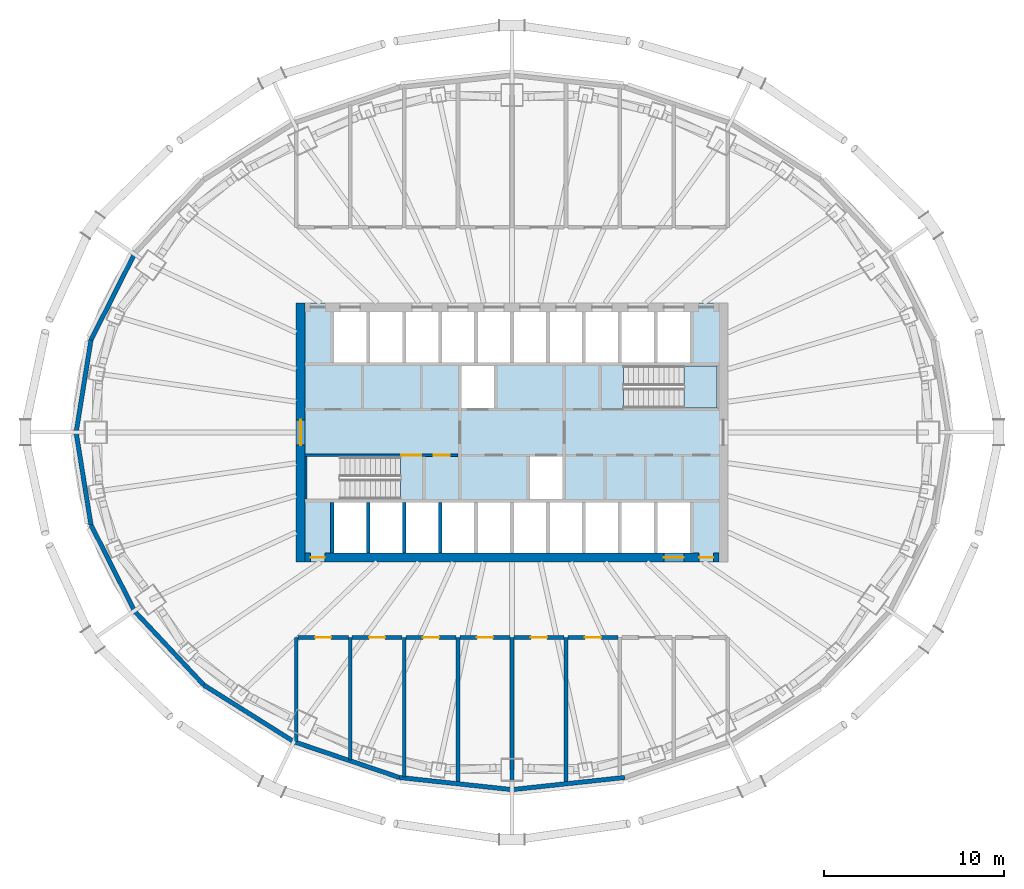
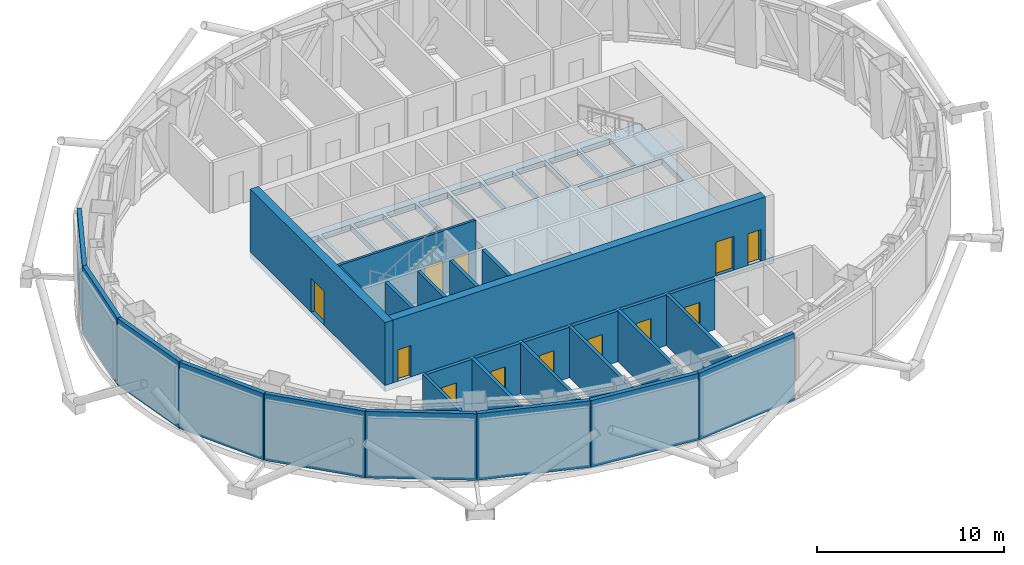
# One storey, part 5 of 16: 29 walls, 12 doors, 2 slabs, 12 openings, 1 element without a shape of its own.
"""IFC4 building model written with IfcOpenShell, lengths in metres."""

from ifc_helpers import new_model, si_unit, direction, frame, frame_2d, origin, place, context, subcontext, project, spatial, polyline, rectangle, outline, extrude, material, layer, layer_set, type_object, element, fill, aggregate, save


model = new_model("IFC4")

# Units and contexts
model_context = context("Model", 3, precision=1e-05, world=origin(), true_north=direction((0.0, 1.0)))
body_context = subcontext(model_context, "Body", "Model", "MODEL_VIEW")
ifc_project = project(units=[si_unit("LENGTHUNIT", "METRE"), si_unit("AREAUNIT", "SQUARE_METRE"), si_unit("VOLUMEUNIT", "CUBIC_METRE"), si_unit("PLANEANGLEUNIT", "RADIAN"), si_unit("MASSUNIT", "GRAM", prefix="KILO")], contexts=[model_context])

# Site, building, storey
site_placement = place(None, origin())
site = spatial("IfcSite", under=ifc_project, at=site_placement, CompositionType="ELEMENT")
building_placement = place(site_placement, origin())
building = spatial("IfcBuilding", under=site, at=building_placement, Name="Siaravel Broadcast Tower", CompositionType="ELEMENT")
storey_placement = place(building_placement, frame((0.0, 0.0, 152.60009765625)))
storey = spatial("IfcBuildingStorey", under=building, at=storey_placement, Name="L36", CompositionType="ELEMENT", Elevation=152.60009765625)

# Slab
ifc_material_1 = material(Name="Concrete C40/50", Category="concrete")
ifc_layer_1 = layer(ifc_material_1, 0.39990234375)
ifc_layer_set_1 = layer_set([ifc_layer_1], Name="Concrete C40/50")
slab_type_1 = type_object("IfcSlabType", Name="Core floor slab 400", PredefinedType="FLOOR", material=ifc_layer_set_1)
slab_1_placement = place(storey_placement, frame((0.0, 0.0, -0.400146484375)))
element("IfcSlab", 1, at=slab_1_placement, inside=storey, type_object=slab_type_1, Name="L36 core floor", PredefinedType="FLOOR", context=body_context, shape_type="SweptSolid", body=[
    extrude(outline(polyline([(-12.0, -7.199951171875), (-12.0, 7.199951171875), (12.0, 7.199951171875), (12.0, -7.199951171875), (-12.0, -7.199951171875)]), holes=[polyline([(11.3994140625, 1.3505859375), (11.3994140625, 3.699462890625), (6.200439453125, 3.699462890625), (6.200439453125, 1.3505859375), (11.3994140625, 1.3505859375)]), polyline([(9.89990234375, 3.89990234375), (9.89990234375, 6.699951171875), (8.10009765625, 6.699951171875), (8.10009765625, 3.89990234375), (9.89990234375, 3.89990234375)]), polyline([(9.89990234375, -6.699951171875), (9.89990234375, -3.89990234375), (8.10009765625, -3.89990234375), (8.10009765625, -6.699951171875), (9.89990234375, -6.699951171875)]), polyline([(7.89990234375, -3.89990234375), (6.10009765625, -3.89990234375), (6.10009765625, -6.699951171875), (7.89990234375, -6.699951171875), (7.89990234375, -3.89990234375)]), polyline([(7.89990234375, 3.89990234375), (7.89990234375, 6.699951171875), (6.10009765625, 6.699951171875), (6.10009765625, 3.89990234375), (7.89990234375, 3.89990234375)]), polyline([(5.89990234375, 6.699951171875), (4.10009765625, 6.699951171875), (4.10009765625, 3.89990234375), (5.89990234375, 3.89990234375), (5.89990234375, 6.699951171875)]), polyline([(5.89990234375, -6.699951171875), (5.89990234375, -3.89990234375), (4.10009765625, -3.89990234375), (4.10009765625, -6.699951171875), (5.89990234375, -6.699951171875)]), polyline([(3.89990234375, 3.89990234375), (3.89990234375, 6.699951171875), (2.10009765625, 6.699951171875), (2.10009765625, 3.89990234375), (3.89990234375, 3.89990234375)]), polyline([(3.89990234375, -6.699951171875), (3.89990234375, -3.89990234375), (2.10009765625, -3.89990234375), (2.10009765625, -6.699951171875), (3.89990234375, -6.699951171875)]), polyline([(2.800048828125, -3.699951171875), (2.800048828125, -1.35009765625), (1.0, -1.35009765625), (1.0, -3.699951171875), (2.800048828125, -3.699951171875)]), polyline([(1.89990234375, 3.89990234375), (1.89990234375, 6.699951171875), (0.10009765625, 6.699951171875), (0.10009765625, 3.89990234375), (1.89990234375, 3.89990234375)]), polyline([(1.89990234375, -3.89990234375), (0.10009765625, -3.89990234375), (0.10009765625, -6.699951171875), (1.89990234375, -6.699951171875), (1.89990234375, -3.89990234375)]), polyline([(-0.10009765625, 3.89990234375), (-0.10009765625, 6.699951171875), (-1.89990234375, 6.699951171875), (-1.89990234375, 3.89990234375), (-0.10009765625, 3.89990234375)]), polyline([(-0.10009765625, -6.699951171875), (-0.10009765625, -3.89990234375), (-1.89990234375, -3.89990234375), (-1.89990234375, -6.699951171875), (-0.10009765625, -6.699951171875)]), polyline([(-1.0, 3.699951171875), (-2.800048828125, 3.699951171875), (-2.800048828125, 1.35009765625), (-1.0, 1.35009765625), (-1.0, 3.699951171875)]), polyline([(-2.10009765625, -3.89990234375), (-3.89990234375, -3.89990234375), (-3.89990234375, -6.699951171875), (-2.10009765625, -6.699951171875), (-2.10009765625, -3.89990234375)]), polyline([(-2.10009765625, 3.89990234375), (-2.10009765625, 6.699951171875), (-3.89990234375, 6.699951171875), (-3.89990234375, 3.89990234375), (-2.10009765625, 3.89990234375)]), polyline([(-4.10009765625, 6.699951171875), (-5.89990234375, 6.699951171875), (-5.89990234375, 3.89990234375), (-4.10009765625, 3.89990234375), (-4.10009765625, 6.699951171875)]), polyline([(-4.10009765625, -6.699951171875), (-4.10009765625, -3.89990234375), (-5.89990234375, -3.89990234375), (-5.89990234375, -6.699951171875), (-4.10009765625, -6.699951171875)]), polyline([(-6.10009765625, 3.89990234375), (-6.10009765625, 6.699951171875), (-7.89990234375, 6.699951171875), (-7.89990234375, 3.89990234375), (-6.10009765625, 3.89990234375)]), polyline([(-6.10009765625, -6.699951171875), (-6.10009765625, -3.89990234375), (-7.89990234375, -3.89990234375), (-7.89990234375, -6.699951171875), (-6.10009765625, -6.699951171875)]), polyline([(-6.200439453125, -1.3505859375), (-11.3994140625, -1.3505859375), (-11.3994140625, -3.699462890625), (-6.200439453125, -3.699462890625), (-6.200439453125, -1.3505859375)]), polyline([(-8.10009765625, 3.89990234375), (-8.10009765625, 6.699951171875), (-9.89990234375, 6.699951171875), (-9.89990234375, 3.89990234375), (-8.10009765625, 3.89990234375)]), polyline([(-8.10009765625, -3.89990234375), (-9.89990234375, -3.89990234375), (-9.89990234375, -6.699951171875), (-8.10009765625, -6.699951171875), (-8.10009765625, -3.89990234375)])]), origin(), (0.0, 0.0, 1.0), 0.400146484375),
])

# Stair, slab
stair_type = type_object("IfcStairType", Name="Core exit stair", PredefinedType="HALF_TURN_STAIR", material=ifc_material_1)
stair_placement = place(storey_placement, origin())
stair = element("IfcStair", 2, at=stair_placement, inside=storey, type_object=stair_type, Name="L36 Exit stair ST-2", PredefinedType="HALF_TURN_STAIR")
ifc_layer_2 = layer(ifc_material_1, 0.199951171875)
ifc_layer_set_2 = layer_set([ifc_layer_2], Name="Concrete C40/50")
slab_type_2 = type_object("IfcSlabType", Name="Stair landing", PredefinedType="LANDING", material=ifc_layer_set_2)
slab_2_placement = place(storey_placement, frame((0.0, 0.0, 2.0498046875)))
slab_2 = element("IfcSlab", 3, at=slab_2_placement, type_object=slab_type_2, Name="ST-2 landing 1", PredefinedType="LANDING", context=body_context, shape_type="SweptSolid", body=[
    extrude(outline(polyline([(9.56005859375, 1.35009765625), (11.39990234375, 1.35009765625), (11.39990234375, 3.699951171875), (9.56005859375, 3.699951171875), (9.56005859375, 1.35009765625)])), origin(), (0.0, 0.0, 1.0), 0.2001953125),
])
aggregate(stair, [slab_2])

# Wall, opening, door
ifc_material_2 = material(Name="Concrete C60/75", Category="concrete")
ifc_layer_3 = layer(ifc_material_2, 0.5)
ifc_layer_set_3 = layer_set([ifc_layer_3], Name="Concrete C60/75")
wall_type_1 = type_object("IfcWallType", Name="Core wall 500", PredefinedType="SHEAR", material=ifc_layer_set_3)
wall_1_placement = place(storey_placement, frame((-11.75, -7.199951171875, 0.0), z_axis=(0.0, 0.0, 1.0), x_axis=(0.0, 1.0, 0.0)))
wall_1 = element("IfcWall", 4, at=wall_1_placement, inside=storey, type_object=wall_type_1, Name="L36 core wall OW", PredefinedType="SHEAR", context=body_context, shape_type="SweptSolid", body=[
    extrude(rectangle(XDim=14.39990234375, YDim=0.5, at=frame_2d((7.199951171875, 0.0))), origin(), (0.0, 0.0, 1.0), 4.099853515625),
])
opening_1_placement = place(wall_1_placement, frame((6.5, 0.0, 0.0)))
opening_1 = element("IfcOpeningElement", 5, at=opening_1_placement, cuts=wall_1, Name="Opening L36-DX-W", PredefinedType="OPENING", context=body_context, shape_type="SweptSolid", body=[
    extrude(rectangle(XDim=1.39990234375, YDim=2.199951171875, at=frame_2d((0.699951171875, 1.10009765625))), frame((0.0, 0.260009765625, 0.0), z_axis=(0.0, -1.0, 0.0), x_axis=(1.0, 0.0, 0.0)), (0.0, 0.0, 1.0), 0.52001953125),
])
ifc_material_3 = material(Name="Steel", Category="steel")
door_type_1 = type_object("IfcDoorType", Name="Core exit door 1400", OperationType="DOUBLE_DOOR_SINGLE_SWING", PredefinedType="DOOR", material=ifc_material_3)
door_1_placement = place(opening_1_placement, origin())
door_1 = element("IfcDoor", 6, at=door_1_placement, inside=storey, type_object=door_type_1, Name="L36 door DX-W", OperationType="DOUBLE_DOOR_SINGLE_SWING", OverallHeight=2.199951171875, OverallWidth=1.39990234375, PredefinedType="DOOR", context=body_context, shape_type="SweptSolid", body=[
    extrude(rectangle(XDim=1.39990234375, YDim=2.199951171875, at=frame_2d((0.699951171875, 1.10009765625))), frame((0.0, 0.02490234375, 0.0), z_axis=(0.0, -1.0, 0.0), x_axis=(1.0, 0.0, 0.0)), (0.0, 0.0, 1.0), 0.050048828125),
])
fill(opening_1, door_1)

# Wall, openings, doors
wall_2_placement = place(storey_placement, frame((-11.5, -6.949951171875, 0.0), z_axis=(0.0, 0.0, 1.0), x_axis=(1.0, 0.0, 0.0)))
wall_2 = element("IfcWall", 7, at=wall_2_placement, inside=storey, type_object=wall_type_1, Name="L36 core wall OS", PredefinedType="SHEAR", context=body_context, shape_type="SweptSolid", body=[
    extrude(rectangle(XDim=23.0, YDim=0.5, at=frame_2d((11.5, 0.0))), origin(), (0.0, 0.0, 1.0), 4.099853515625),
])
opening_2_placement = place(wall_2_placement, frame((19.949951171875, 0.0, 0.0)))
opening_2 = element("IfcOpeningElement", 8, at=opening_2_placement, cuts=wall_2, Name="Opening LD-SV1-L36", PredefinedType="OPENING", context=body_context, shape_type="SweptSolid", body=[
    extrude(rectangle(XDim=1.10009765625, YDim=2.199951171875, at=frame_2d((0.550048828125, 1.10009765625))), frame((0.0, 0.260009765625, 0.0), z_axis=(0.0, -1.0, 0.0), x_axis=(1.0, 0.0, 0.0)), (0.0, 0.0, 1.0), 0.52001953125),
])
opening_3_placement = place(wall_2_placement, frame((0.300048828125, 0.0, 0.0)))
opening_3 = element("IfcOpeningElement", 9, at=opening_3_placement, cuts=wall_2, Name="Opening L36-DRSW", PredefinedType="OPENING", context=body_context, shape_type="SweptSolid", body=[
    extrude(rectangle(XDim=0.800048828125, YDim=2.050048828125, at=frame_2d((0.39990234375, 1.02490234375))), frame((0.0, 0.260009765625, 0.0), z_axis=(0.0, -1.0, 0.0), x_axis=(1.0, 0.0, 0.0)), (0.0, 0.0, 1.0), 0.52001953125),
])
opening_4_placement = place(wall_2_placement, frame((21.89990234375, 0.0, 0.0)))
opening_4 = element("IfcOpeningElement", 10, at=opening_4_placement, cuts=wall_2, Name="Opening L36-DRSE", PredefinedType="OPENING", context=body_context, shape_type="SweptSolid", body=[
    extrude(rectangle(XDim=0.800048828125, YDim=2.050048828125, at=frame_2d((0.39990234375, 1.02490234375))), frame((0.0, 0.260009765625, 0.0), z_axis=(0.0, -1.0, 0.0), x_axis=(1.0, 0.0, 0.0)), (0.0, 0.0, 1.0), 0.52001953125),
])
door_type_2 = type_object("IfcDoorType", Name="Riser door 800", OperationType="SINGLE_SWING_LEFT", PredefinedType="DOOR", material=ifc_material_3)
door_2_placement = place(opening_3_placement, origin())
door_2 = element("IfcDoor", 11, at=door_2_placement, inside=storey, type_object=door_type_2, Name="L36 door DRSW", OperationType="SINGLE_SWING_LEFT", OverallHeight=2.050048828125, OverallWidth=0.800048828125, PredefinedType="DOOR", context=body_context, shape_type="SweptSolid", body=[
    extrude(rectangle(XDim=0.800048828125, YDim=2.050048828125, at=frame_2d((0.39990234375, 1.02490234375))), frame((0.0, 0.02490234375, 0.0), z_axis=(0.0, -1.0, 0.0), x_axis=(1.0, 0.0, 0.0)), (0.0, 0.0, 1.0), 0.050048828125),
])
fill(opening_3, door_2)
door_3_placement = place(opening_4_placement, origin())
door_3 = element("IfcDoor", 12, at=door_3_placement, inside=storey, type_object=door_type_2, Name="L36 door DRSE", OperationType="SINGLE_SWING_LEFT", OverallHeight=2.050048828125, OverallWidth=0.800048828125, PredefinedType="DOOR", context=body_context, shape_type="SweptSolid", body=[
    extrude(rectangle(XDim=0.800048828125, YDim=2.050048828125, at=frame_2d((0.39990234375, 1.02490234375))), frame((0.0, 0.02490234375, 0.0), z_axis=(0.0, -1.0, 0.0), x_axis=(1.0, 0.0, 0.0)), (0.0, 0.0, 1.0), 0.050048828125),
])
fill(opening_4, door_3)
ifc_material_4 = material(Name="Stainless steel 316L", Category="steel")
door_type_3 = type_object("IfcDoorType", Name="Service lift landing door 1100", OperationType="DOUBLE_DOOR_SLIDING", PredefinedType="DOOR", material=ifc_material_4)
door_4_placement = place(opening_2_placement, origin())
door_4 = element("IfcDoor", 13, at=door_4_placement, inside=storey, type_object=door_type_3, Name="Landing door SV1 L36", OperationType="DOUBLE_DOOR_SLIDING", OverallHeight=2.199951171875, OverallWidth=1.10009765625, PredefinedType="DOOR", context=body_context, shape_type="SweptSolid", body=[
    extrude(rectangle(XDim=1.10009765625, YDim=2.199951171875, at=frame_2d((0.550048828125, 1.10009765625))), frame((0.0, 0.02490234375, 0.0), z_axis=(0.0, -1.0, 0.0), x_axis=(1.0, 0.0, 0.0)), (0.0, 0.0, 1.0), 0.050048828125),
])
fill(opening_2, door_4)

# Walls
ifc_material_5 = material(Name="Concrete blockwork", Category="masonry")
ifc_layer_4 = layer(ifc_material_5, 0.199951171875)
ifc_layer_set_4 = layer_set([ifc_layer_4], Name="Concrete blockwork")
wall_type_2 = type_object("IfcWallType", Name="Plant room wall 200", PredefinedType="PARTITIONING", material=ifc_layer_set_4)
wall_3_placement = place(storey_placement, frame((0.0, -19.808349609375, 0.0), z_axis=(0.0, 0.0, 1.0), x_axis=(0.0, 1.0, 0.0)))
element("IfcWall", 14, at=wall_3_placement, inside=storey, type_object=wall_type_2, Name="L36 partition 1", PredefinedType="PARTITIONING", context=body_context, shape_type="SweptSolid", body=[
    extrude(rectangle(XDim=8.408447265625, YDim=0.199951171875, at=frame_2d((4.2041015625, 0.0))), origin(), (0.0, 0.0, 1.0), 3.2998046875),
])
for number, where, z_axis, x_axis, name in (
    (15, (-3.0, -19.48486328125, 0.0), (0.0, 0.0, 1.0), (0.0, 1.0, 0.0), "L36 partition 3"),
    (16, (3.0, -19.48486328125, 0.0), (0.0, 0.0, 1.0), (0.0, 1.0, 0.0), "L36 partition 5"),
):
    element("IfcWall", number, at=place(storey_placement, frame(where, z_axis=z_axis, x_axis=x_axis)), inside=storey, type_object=wall_type_2, Name=name, PredefinedType="PARTITIONING", context=body_context, shape_type="SweptSolid", body=[
        extrude(rectangle(XDim=8.0849609375, YDim=0.199951171875, at=frame_2d((4.04248046875, 0.0))), origin(), (0.0, 0.0, 1.0), 3.2998046875),
    ])
wall_4_placement = place(storey_placement, frame((-6.0, -19.161376953125, 0.0), z_axis=(0.0, 0.0, 1.0), x_axis=(0.0, 1.0, 0.0)))
element("IfcWall", 17, at=wall_4_placement, inside=storey, type_object=wall_type_2, Name="L36 partition 7", PredefinedType="PARTITIONING", context=body_context, shape_type="SweptSolid", body=[
    extrude(rectangle(XDim=7.761474609375, YDim=0.199951171875, at=frame_2d((3.880859375, 0.0))), origin(), (0.0, 0.0, 1.0), 3.2998046875),
])
wall_5_placement = place(storey_placement, frame((-9.0, -18.205810546875, 0.0), z_axis=(0.0, 0.0, 1.0), x_axis=(0.0, 1.0, 0.0)))
element("IfcWall", 18, at=wall_5_placement, inside=storey, type_object=wall_type_2, Name="L36 partition 11", PredefinedType="PARTITIONING", context=body_context, shape_type="SweptSolid", body=[
    extrude(rectangle(XDim=6.805908203125, YDim=0.199951171875, at=frame_2d((3.40283203125, 0.0))), origin(), (0.0, 0.0, 1.0), 3.2998046875),
])
wall_6_placement = place(storey_placement, frame((-12.0, -11.387939453125, 0.0), z_axis=(0.0, 0.0, 1.0), x_axis=(0.0, -1.0, 0.0)))
element("IfcWall", 19, at=wall_6_placement, inside=storey, type_object=wall_type_2, Name="L36 partition 15", PredefinedType="PARTITIONING", context=body_context, shape_type="SweptSolid", body=[
    extrude(rectangle(XDim=5.800048828125, YDim=0.199951171875, at=frame_2d((2.89990234375, 0.0))), origin(), (0.0, 0.0, 1.0), 3.2998046875),
])

# Wall, opening, door
wall_7_placement = place(storey_placement, frame((-11.89794921875, -11.39990234375, 0.0), z_axis=(0.0, 0.0, 1.0), x_axis=(1.0, 0.0, 0.0)))
wall_7 = element("IfcWall", 20, at=wall_7_placement, inside=storey, type_object=wall_type_2, Name="L36 partition 19", PredefinedType="PARTITIONING", context=body_context, shape_type="SweptSolid", body=[
    extrude(rectangle(XDim=2.7958984375, YDim=0.199951171875, at=frame_2d((1.39794921875, 0.0))), origin(), (0.0, 0.0, 1.0), 3.2998046875),
])
opening_5_placement = place(wall_7_placement, frame((0.947998046875, 0.0, 0.0)))
opening_5 = element("IfcOpeningElement", 21, at=opening_5_placement, cuts=wall_7, Name="Opening L36-009", PredefinedType="OPENING", context=body_context, shape_type="SweptSolid", body=[
    extrude(rectangle(XDim=0.89990234375, YDim=2.10009765625, at=frame_2d((0.449951171875, 1.050048828125))), frame((0.0, 0.10986328125, 0.0), z_axis=(0.0, -1.0, 0.0), x_axis=(1.0, 0.0, 0.0)), (0.0, 0.0, 1.0), 0.219970703125),
])
door_type_4 = type_object("IfcDoorType", Name="Plant room door 900", OperationType="SINGLE_SWING_LEFT", PredefinedType="DOOR", material=ifc_material_3)
door_5_placement = place(opening_5_placement, origin())
door_5 = element("IfcDoor", 22, at=door_5_placement, inside=storey, type_object=door_type_4, Name="L36 door to Water tank room", OperationType="SINGLE_SWING_LEFT", OverallHeight=2.10009765625, OverallWidth=0.89990234375, PredefinedType="DOOR", context=body_context, shape_type="SweptSolid", body=[
    extrude(rectangle(XDim=0.89990234375, YDim=2.10009765625, at=frame_2d((0.449951171875, 1.050048828125))), frame((0.0, 0.02490234375, 0.0), z_axis=(0.0, -1.0, 0.0), x_axis=(1.0, 0.0, 0.0)), (0.0, 0.0, 1.0), 0.050048828125),
])
fill(opening_5, door_5)

wall_8_placement = place(storey_placement, frame((-8.89794921875, -11.39990234375, 0.0), z_axis=(0.0, 0.0, 1.0), x_axis=(1.0, 0.0, 0.0)))
wall_8 = element("IfcWall", 23, at=wall_8_placement, inside=storey, type_object=wall_type_2, Name="L36 partition 20", PredefinedType="PARTITIONING", context=body_context, shape_type="SweptSolid", body=[
    extrude(rectangle(XDim=2.7958984375, YDim=0.199951171875, at=frame_2d((1.39794921875, 0.0))), origin(), (0.0, 0.0, 1.0), 3.2998046875),
])
opening_6_placement = place(wall_8_placement, frame((0.947998046875, 0.0, 0.0)))
opening_6 = element("IfcOpeningElement", 24, at=opening_6_placement, cuts=wall_8, Name="Opening L36-010", PredefinedType="OPENING", context=body_context, shape_type="SweptSolid", body=[
    extrude(rectangle(XDim=0.89990234375, YDim=2.10009765625, at=frame_2d((0.449951171875, 1.050048828125))), frame((0.0, 0.10986328125, 0.0), z_axis=(0.0, -1.0, 0.0), x_axis=(1.0, 0.0, 0.0)), (0.0, 0.0, 1.0), 0.219970703125),
])
door_6_placement = place(opening_6_placement, origin())
door_6 = element("IfcDoor", 25, at=door_6_placement, inside=storey, type_object=door_type_4, Name="L36 door to Sprinkler pump plant room", OperationType="SINGLE_SWING_RIGHT", OverallHeight=2.10009765625, OverallWidth=0.89990234375, PredefinedType="DOOR", context=body_context, shape_type="SweptSolid", body=[
    extrude(rectangle(XDim=0.89990234375, YDim=2.10009765625, at=frame_2d((0.449951171875, 1.050048828125))), frame((0.0, 0.02490234375, 0.0), z_axis=(0.0, -1.0, 0.0), x_axis=(1.0, 0.0, 0.0)), (0.0, 0.0, 1.0), 0.050048828125),
])
fill(opening_6, door_6)

wall_9_placement = place(storey_placement, frame((-5.89794921875, -11.39990234375, 0.0), z_axis=(0.0, 0.0, 1.0), x_axis=(1.0, 0.0, 0.0)))
wall_9 = element("IfcWall", 26, at=wall_9_placement, inside=storey, type_object=wall_type_2, Name="L36 partition 22", PredefinedType="PARTITIONING", context=body_context, shape_type="SweptSolid", body=[
    extrude(rectangle(XDim=2.7958984375, YDim=0.199951171875, at=frame_2d((1.39794921875, 0.0))), origin(), (0.0, 0.0, 1.0), 3.2998046875),
])
opening_7_placement = place(wall_9_placement, frame((0.947998046875, 0.0, 0.0)))
opening_7 = element("IfcOpeningElement", 27, at=opening_7_placement, cuts=wall_9, Name="Opening L36-011", PredefinedType="OPENING", context=body_context, shape_type="SweptSolid", body=[
    extrude(rectangle(XDim=0.89990234375, YDim=2.10009765625, at=frame_2d((0.449951171875, 1.050048828125))), frame((0.0, 0.10986328125, 0.0), z_axis=(0.0, -1.0, 0.0), x_axis=(1.0, 0.0, 0.0)), (0.0, 0.0, 1.0), 0.219970703125),
])
door_7_placement = place(opening_7_placement, origin())
door_7 = element("IfcDoor", 28, at=door_7_placement, inside=storey, type_object=door_type_4, Name="L36 door to Fire pump plant room", OperationType="SINGLE_SWING_LEFT", OverallHeight=2.10009765625, OverallWidth=0.89990234375, PredefinedType="DOOR", context=body_context, shape_type="SweptSolid", body=[
    extrude(rectangle(XDim=0.89990234375, YDim=2.10009765625, at=frame_2d((0.449951171875, 1.050048828125))), frame((0.0, 0.02490234375, 0.0), z_axis=(0.0, -1.0, 0.0), x_axis=(1.0, 0.0, 0.0)), (0.0, 0.0, 1.0), 0.050048828125),
])
fill(opening_7, door_7)

wall_10_placement = place(storey_placement, frame((-2.89794921875, -11.39990234375, 0.0), z_axis=(0.0, 0.0, 1.0), x_axis=(1.0, 0.0, 0.0)))
wall_10 = element("IfcWall", 29, at=wall_10_placement, inside=storey, type_object=wall_type_2, Name="L36 partition 24", PredefinedType="PARTITIONING", context=body_context, shape_type="SweptSolid", body=[
    extrude(rectangle(XDim=2.7958984375, YDim=0.199951171875, at=frame_2d((1.39794921875, 0.0))), origin(), (0.0, 0.0, 1.0), 3.2998046875),
])
opening_8_placement = place(wall_10_placement, frame((0.947998046875, 0.0, 0.0)))
opening_8 = element("IfcOpeningElement", 30, at=opening_8_placement, cuts=wall_10, Name="Opening L36-012", PredefinedType="OPENING", context=body_context, shape_type="SweptSolid", body=[
    extrude(rectangle(XDim=0.89990234375, YDim=2.10009765625, at=frame_2d((0.449951171875, 1.050048828125))), frame((0.0, 0.10986328125, 0.0), z_axis=(0.0, -1.0, 0.0), x_axis=(1.0, 0.0, 0.0)), (0.0, 0.0, 1.0), 0.219970703125),
])
door_8_placement = place(opening_8_placement, origin())
door_8 = element("IfcDoor", 31, at=door_8_placement, inside=storey, type_object=door_type_4, Name="L36 door to UPS plant room", OperationType="SINGLE_SWING_RIGHT", OverallHeight=2.10009765625, OverallWidth=0.89990234375, PredefinedType="DOOR", context=body_context, shape_type="SweptSolid", body=[
    extrude(rectangle(XDim=0.89990234375, YDim=2.10009765625, at=frame_2d((0.449951171875, 1.050048828125))), frame((0.0, 0.02490234375, 0.0), z_axis=(0.0, -1.0, 0.0), x_axis=(1.0, 0.0, 0.0)), (0.0, 0.0, 1.0), 0.050048828125),
])
fill(opening_8, door_8)

wall_11_placement = place(storey_placement, frame((0.10205078125, -11.39990234375, 0.0), z_axis=(0.0, 0.0, 1.0), x_axis=(1.0, 0.0, 0.0)))
wall_11 = element("IfcWall", 32, at=wall_11_placement, inside=storey, type_object=wall_type_2, Name="L36 partition 26", PredefinedType="PARTITIONING", context=body_context, shape_type="SweptSolid", body=[
    extrude(rectangle(XDim=2.7958984375, YDim=0.199951171875, at=frame_2d((1.39794921875, 0.0))), origin(), (0.0, 0.0, 1.0), 3.2998046875),
])
opening_9_placement = place(wall_11_placement, frame((0.947998046875, 0.0, 0.0)))
opening_9 = element("IfcOpeningElement", 33, at=opening_9_placement, cuts=wall_11, Name="Opening L36-013", PredefinedType="OPENING", context=body_context, shape_type="SweptSolid", body=[
    extrude(rectangle(XDim=0.89990234375, YDim=2.10009765625, at=frame_2d((0.449951171875, 1.050048828125))), frame((0.0, 0.10986328125, 0.0), z_axis=(0.0, -1.0, 0.0), x_axis=(1.0, 0.0, 0.0)), (0.0, 0.0, 1.0), 0.219970703125),
])
door_9_placement = place(opening_9_placement, origin())
door_9 = element("IfcDoor", 34, at=door_9_placement, inside=storey, type_object=door_type_4, Name="L36 door to Battery plant room", OperationType="SINGLE_SWING_LEFT", OverallHeight=2.10009765625, OverallWidth=0.89990234375, PredefinedType="DOOR", context=body_context, shape_type="SweptSolid", body=[
    extrude(rectangle(XDim=0.89990234375, YDim=2.10009765625, at=frame_2d((0.449951171875, 1.050048828125))), frame((0.0, 0.02490234375, 0.0), z_axis=(0.0, -1.0, 0.0), x_axis=(1.0, 0.0, 0.0)), (0.0, 0.0, 1.0), 0.050048828125),
])
fill(opening_9, door_9)

wall_12_placement = place(storey_placement, frame((3.10205078125, -11.39990234375, 0.0), z_axis=(0.0, 0.0, 1.0), x_axis=(1.0, 0.0, 0.0)))
wall_12 = element("IfcWall", 35, at=wall_12_placement, inside=storey, type_object=wall_type_2, Name="L36 partition 28", PredefinedType="PARTITIONING", context=body_context, shape_type="SweptSolid", body=[
    extrude(rectangle(XDim=2.7958984375, YDim=0.199951171875, at=frame_2d((1.39794921875, 0.0))), origin(), (0.0, 0.0, 1.0), 3.2998046875),
])
opening_10_placement = place(wall_12_placement, frame((0.947998046875, 0.0, 0.0)))
opening_10 = element("IfcOpeningElement", 36, at=opening_10_placement, cuts=wall_12, Name="Opening L36-014", PredefinedType="OPENING", context=body_context, shape_type="SweptSolid", body=[
    extrude(rectangle(XDim=0.89990234375, YDim=2.10009765625, at=frame_2d((0.449951171875, 1.050048828125))), frame((0.0, 0.10986328125, 0.0), z_axis=(0.0, -1.0, 0.0), x_axis=(1.0, 0.0, 0.0)), (0.0, 0.0, 1.0), 0.219970703125),
])
door_10_placement = place(opening_10_placement, origin())
door_10 = element("IfcDoor", 37, at=door_10_placement, inside=storey, type_object=door_type_4, Name="L36 door to Smoke extract plant room", OperationType="SINGLE_SWING_RIGHT", OverallHeight=2.10009765625, OverallWidth=0.89990234375, PredefinedType="DOOR", context=body_context, shape_type="SweptSolid", body=[
    extrude(rectangle(XDim=0.89990234375, YDim=2.10009765625, at=frame_2d((0.449951171875, 1.050048828125))), frame((0.0, 0.02490234375, 0.0), z_axis=(0.0, -1.0, 0.0), x_axis=(1.0, 0.0, 0.0)), (0.0, 0.0, 1.0), 0.050048828125),
])
fill(opening_10, door_10)

# Walls
ifc_layer_5 = layer(ifc_material_1, 0.25)
ifc_layer_set_5 = layer_set([ifc_layer_5], Name="Concrete C40/50")
wall_type_3 = type_object("IfcWallType", Name="Plant storey wall", PredefinedType="STANDARD", material=ifc_layer_set_5)
wall_13_placement = place(storey_placement, frame((-20.98388671875, 9.93310546875, 0.0), z_axis=(0.0, 0.0, 1.0), x_axis=(-0.451229303, -0.892408044, 0.0)))
element("IfcWall", 38, at=wall_13_placement, inside=storey, type_object=wall_type_3, Name="L36 plant storey wall 11", PredefinedType="STANDARD", context=body_context, shape_type="SweptSolid", body=[
    extrude(rectangle(XDim=5.368408203125, YDim=0.25, at=frame_2d((2.68408203125, 0.0))), origin(), (0.0, 0.0, 1.0), 4.349853515625),
])
for number, where, z_axis, x_axis, name in (
    (39, (-23.40625, 5.142333984375, 0.0), (0.0, 0.0, 1.0), (-0.158718078, -0.987323945, 0.0), "L36 plant storey wall 12"),
    (40, (-24.23291015625, 0.0, 0.0), (0.0, 0.0, 1.0), (0.158718078, -0.987323945, 0.0), "L36 plant storey wall 13"),
):
    element("IfcWall", number, at=place(storey_placement, frame(where, z_axis=z_axis, x_axis=x_axis)), inside=storey, type_object=wall_type_3, Name=name, PredefinedType="STANDARD", context=body_context, shape_type="SweptSolid", body=[
        extrude(rectangle(XDim=5.208251953125, YDim=0.25, at=frame_2d((2.60400390625, 0.0))), origin(), (0.0, 0.0, 1.0), 4.349853515625),
    ])
wall_14_placement = place(storey_placement, frame((-23.40625, -5.142333984375, 0.0), z_axis=(0.0, 0.0, 1.0), x_axis=(0.451229303, -0.892408044, 0.0)))
element("IfcWall", 41, at=wall_14_placement, inside=storey, type_object=wall_type_3, Name="L36 plant storey wall 14", PredefinedType="STANDARD", context=body_context, shape_type="SweptSolid", body=[
    extrude(rectangle(XDim=5.368408203125, YDim=0.25, at=frame_2d((2.68408203125, 0.0))), origin(), (0.0, 0.0, 1.0), 4.349853515625),
])
wall_15_placement = place(storey_placement, frame((-20.98388671875, -9.93310546875, 0.0), z_axis=(0.0, 0.0, 1.0), x_axis=(0.683658596, -0.729801976, 0.0)))
element("IfcWall", 42, at=wall_15_placement, inside=storey, type_object=wall_type_3, Name="L36 plant storey wall 15", PredefinedType="STANDARD", context=body_context, shape_type="SweptSolid", body=[
    extrude(rectangle(XDim=5.634765625, YDim=0.25, at=frame_2d((2.8173828125, 0.0))), origin(), (0.0, 0.0, 1.0), 4.349853515625),
])
wall_16_placement = place(storey_placement, frame((-17.131591796875, -14.04541015625, 0.0), z_axis=(0.0, 0.0, 1.0), x_axis=(0.846665178, -0.532125996, 0.0)))
element("IfcWall", 43, at=wall_16_placement, inside=storey, type_object=wall_type_3, Name="L36 plant storey wall 16", PredefinedType="STANDARD", context=body_context, shape_type="SweptSolid", body=[
    extrude(rectangle(XDim=5.927734375, YDim=0.25, at=frame_2d((2.9638671875, 0.0))), origin(), (0.0, 0.0, 1.0), 4.349853515625),
])
wall_17_placement = place(storey_placement, frame((-12.11279296875, -17.19970703125, 0.0), z_axis=(0.0, 0.0, 1.0), x_axis=(0.946968166, -0.321327392, 0.0)))
element("IfcWall", 44, at=wall_17_placement, inside=storey, type_object=wall_type_3, Name="L36 plant storey wall 17", PredefinedType="STANDARD", context=body_context, shape_type="SweptSolid", body=[
    extrude(rectangle(XDim=6.170166015625, YDim=0.25, at=frame_2d((3.0849609375, 0.0))), origin(), (0.0, 0.0, 1.0), 4.349853515625),
])
for number, where, z_axis, x_axis, name in (
    (45, (-6.269775390625, -19.182373046875, 0.0), (0.0, 0.0, 1.0), (0.994237309, -0.107201554, 0.0), "L36 plant storey wall 18"),
    (46, (0.0, -19.8583984375, 0.0), (0.0, 0.0, 1.0), (0.994237309, 0.107201554, 0.0), "L36 plant storey wall 19"),
):
    element("IfcWall", number, at=place(storey_placement, frame(where, z_axis=z_axis, x_axis=x_axis)), inside=storey, type_object=wall_type_3, Name=name, PredefinedType="STANDARD", context=body_context, shape_type="SweptSolid", body=[
        extrude(rectangle(XDim=6.30615234375, YDim=0.25, at=frame_2d((3.153076171875, 0.0))), origin(), (0.0, 0.0, 1.0), 4.349853515625),
    ])
ifc_layer_6 = layer(ifc_material_2, 0.10009765625)
ifc_layer_set_6 = layer_set([ifc_layer_6], Name="Concrete C60/75")
wall_type_4 = type_object("IfcWallType", Name="Shaft wall 100", PredefinedType="SHEAR", material=ifc_layer_set_6)
wall_18_placement = place(storey_placement, frame((-11.449951171875, -3.699951171875, 0.0), z_axis=(0.0, 0.0, 1.0), x_axis=(0.0, 1.0, 0.0)))
element("IfcWall", 47, at=wall_18_placement, inside=storey, type_object=wall_type_4, Name="L36 core wall ST1W", PredefinedType="SHEAR", context=body_context, shape_type="SweptSolid", body=[
    extrude(rectangle(XDim=2.349853515625, YDim=0.10009765625, at=frame_2d((1.1748046875, 0.0))), origin(), (0.0, 0.0, 1.0), 4.099853515625),
])

# Wall, openings, doors
ifc_layer_7 = layer(ifc_material_2, 0.14990234375)
ifc_layer_set_7 = layer_set([ifc_layer_7], Name="Concrete C60/75")
wall_type_5 = type_object("IfcWallType", Name="Shaft wall 150", PredefinedType="SHEAR", material=ifc_layer_set_7)
wall_19_placement = place(storey_placement, frame((-11.5, -1.27490234375, 0.0), z_axis=(0.0, 0.0, 1.0), x_axis=(1.0, 0.0, 0.0)))
wall_19 = element("IfcWall", 48, at=wall_19_placement, inside=storey, type_object=wall_type_5, Name="L36 core wall CSW", PredefinedType="SHEAR", context=body_context, shape_type="SweptSolid", body=[
    extrude(rectangle(XDim=8.5, YDim=0.14990234375, at=frame_2d((4.25, 0.0))), origin(), (0.0, 0.0, 1.0), 4.099853515625),
])
opening_11_placement = place(wall_19_placement, frame((5.35009765625, 0.0, 0.0)))
opening_11 = element("IfcOpeningElement", 49, at=opening_11_placement, cuts=wall_19, Name="Opening L36-DS-1", PredefinedType="OPENING", context=body_context, shape_type="SweptSolid", body=[
    extrude(rectangle(XDim=1.10009765625, YDim=2.14990234375, at=frame_2d((0.550048828125, 1.074951171875))), frame((0.0, 0.0849609375, 0.0), z_axis=(0.0, -1.0, 0.0), x_axis=(1.0, 0.0, 0.0)), (0.0, 0.0, 1.0), 0.169921875),
])
opening_12_placement = place(wall_19_placement, frame((7.14990234375, 0.0, 0.0)))
opening_12 = element("IfcOpeningElement", 50, at=opening_12_placement, cuts=wall_19, Name="Opening L36-DSW0", PredefinedType="OPENING", context=body_context, shape_type="SweptSolid", body=[
    extrude(rectangle(XDim=0.89990234375, YDim=2.10009765625, at=frame_2d((0.449951171875, 1.050048828125))), frame((0.0, 0.0849609375, 0.0), z_axis=(0.0, -1.0, 0.0), x_axis=(1.0, 0.0, 0.0)), (0.0, 0.0, 1.0), 0.169921875),
])
ifc_material_6 = material(Name="Timber veneer", Category="wood")
door_type_5 = type_object("IfcDoorType", Name="Core room door 900", OperationType="SINGLE_SWING_LEFT", PredefinedType="DOOR", material=ifc_material_6)
door_11_placement = place(opening_12_placement, origin())
door_11 = element("IfcDoor", 51, at=door_11_placement, inside=storey, type_object=door_type_5, Name="L36 door DSW0", OperationType="SINGLE_SWING_LEFT", OverallHeight=2.10009765625, OverallWidth=0.89990234375, PredefinedType="DOOR", context=body_context, shape_type="SweptSolid", body=[
    extrude(rectangle(XDim=0.89990234375, YDim=2.10009765625, at=frame_2d((0.449951171875, 1.050048828125))), frame((0.0, 0.02490234375, 0.0), z_axis=(0.0, -1.0, 0.0), x_axis=(1.0, 0.0, 0.0)), (0.0, 0.0, 1.0), 0.050048828125),
])
fill(opening_12, door_11)
door_type_6 = type_object("IfcDoorType", Name="Stair door 1100", OperationType="SINGLE_SWING_LEFT", PredefinedType="DOOR", material=ifc_material_3)
door_12_placement = place(opening_11_placement, origin())
door_12 = element("IfcDoor", 52, at=door_12_placement, inside=storey, type_object=door_type_6, Name="L36 door DS-1", OperationType="SINGLE_SWING_LEFT", OverallHeight=2.14990234375, OverallWidth=1.10009765625, PredefinedType="DOOR", context=body_context, shape_type="SweptSolid", body=[
    extrude(rectangle(XDim=1.10009765625, YDim=2.14990234375, at=frame_2d((0.550048828125, 1.074951171875))), frame((0.0, 0.02490234375, 0.0), z_axis=(0.0, -1.0, 0.0), x_axis=(1.0, 0.0, 0.0)), (0.0, 0.0, 1.0), 0.050048828125),
])
fill(opening_11, door_12)

# Walls
ifc_layer_8 = layer(ifc_material_2, 0.199951171875)
ifc_layer_set_8 = layer_set([ifc_layer_8], Name="Concrete C60/75")
wall_type_6 = type_object("IfcWallType", Name="Shaft wall 200", PredefinedType="SHEAR", material=ifc_layer_set_8)
for number, where, z_axis, x_axis, name in (
    (53, (-10.0, -6.699951171875, 0.0), (0.0, 0.0, 1.0), (0.0, 1.0, 0.0), "L36 core wall SWS0"),
    (54, (-8.0, -6.699951171875, 0.0), (0.0, 0.0, 1.0), (0.0, 1.0, 0.0), "L36 core wall SWS1"),
    (55, (-6.0, -6.699951171875, 0.0), (0.0, 0.0, 1.0), (0.0, 1.0, 0.0), "L36 core wall SWS2"),
    (56, (-4.0, -6.699951171875, 0.0), (0.0, 0.0, 1.0), (0.0, 1.0, 0.0), "L36 core wall SWS3"),
):
    element("IfcWall", number, at=place(storey_placement, frame(where, z_axis=z_axis, x_axis=x_axis)), inside=storey, type_object=wall_type_6, Name=name, PredefinedType="SHEAR", context=body_context, shape_type="SweptSolid", body=[
        extrude(rectangle(XDim=2.800048828125, YDim=0.199951171875, at=frame_2d((1.39990234375, 0.0))), origin(), (0.0, 0.0, 1.0), 4.099853515625),
    ])

save(model, "model.ifc")
